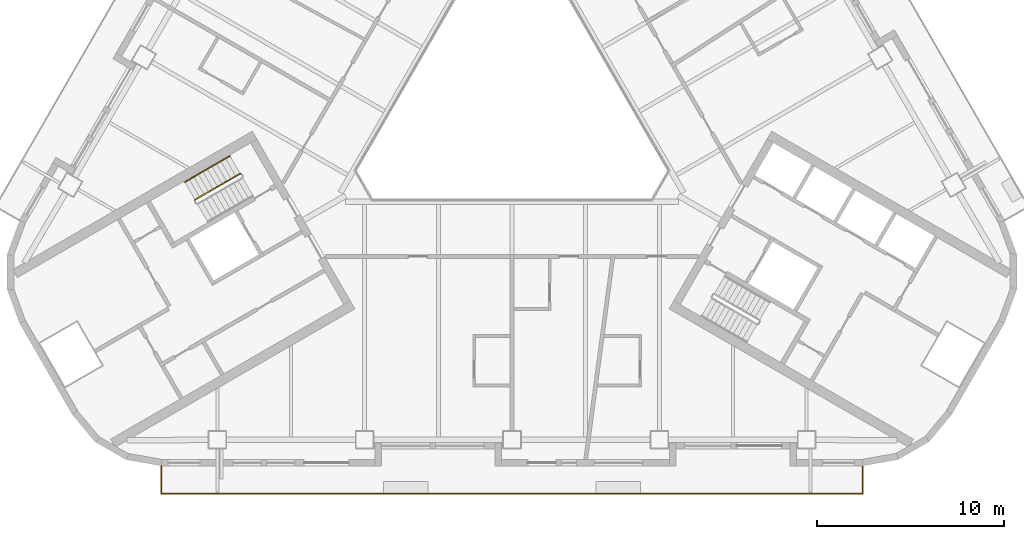
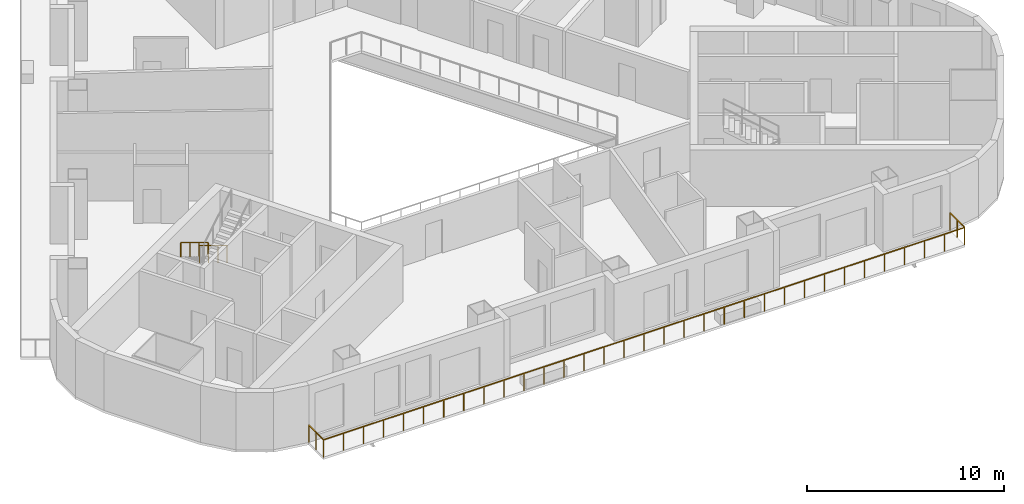
# One storey, part 9 of 13: 3 railings.
"""IFC4 building model written with IfcOpenShell, lengths in metres."""

from ifc_helpers import new_model, si_unit, direction, frame, origin, origin_2d, place, context, subcontext, project, spatial, rectangle, circle, extrude, material, type_object, element, save


model = new_model("IFC4")

# Units and contexts
model_context = context("Model", 3, precision=1e-05, world=origin(), true_north=direction((0.0, 1.0)))
body_context = subcontext(model_context, "Body", "Model", "MODEL_VIEW")
ifc_project = project(units=[si_unit("LENGTHUNIT", "METRE"), si_unit("AREAUNIT", "SQUARE_METRE"), si_unit("VOLUMEUNIT", "CUBIC_METRE"), si_unit("PLANEANGLEUNIT", "RADIAN"), si_unit("MASSUNIT", "GRAM", prefix="KILO")], contexts=[model_context])

# Site, building, storey
site_placement = place(None, origin())
site = spatial("IfcSite", under=ifc_project, at=site_placement, CompositionType="ELEMENT")
building_placement = place(site_placement, origin())
building = spatial("IfcBuilding", under=site, at=building_placement, Name="Apuvela Tower Hotel", CompositionType="ELEMENT")
storey_placement = place(building_placement, frame((0.0, 0.0, 65.0)))
storey = spatial("IfcBuildingStorey", under=building, at=storey_placement, Name="L13", CompositionType="ELEMENT", Elevation=65.0)

# Railings
ifc_material_1 = material(Name="Steel S275 balustrade", Category="steel")
railing_type_1 = type_object("IfcRailingType", Name="COR-GUARD-1100", PredefinedType="GUARDRAIL", material=ifc_material_1)
railing_1_placement = place(storey_placement, frame((-14.569091796875, -3.9658203125, 0.168212890625)))
element("IfcRailing", 1, at=railing_1_placement, inside=storey, type_object=railing_type_1, Name="L13 ST2 stair guard 1", PredefinedType="GUARDRAIL", context=body_context, shape_type="SweptSolid", body=[
    extrude(rectangle(XDim=0.048095703125, YDim=0.048095703125, at=origin_2d()), frame((0.0, 0.0, 1.076171875), z_axis=(-0.742390482028, -0.42860119049, 0.514934356695), x_axis=(0.49998411664, -0.866034573852, 0.0)), (0.0, 0.0, 1.0), 3.26611328125),
    extrude(rectangle(XDim=0.0419921875, YDim=0.0419921875, at=origin_2d()), origin(), (0.0, 0.0, 1.0), 1.052001953125),
    extrude(rectangle(XDim=0.0419921875, YDim=0.0419921875, at=origin_2d()), frame((-0.808349609375, -0.466552734375, 0.560546875)), (0.0, 0.0, 1.0), 1.052001953125),
    extrude(rectangle(XDim=0.0419921875, YDim=0.0419921875, at=origin_2d()), frame((-1.616455078125, -0.933349609375, 1.121337890625)), (0.0, 0.0, 1.0), 1.052001953125),
    extrude(rectangle(XDim=0.0419921875, YDim=0.0419921875, at=origin_2d()), frame((-2.4248046875, -1.39990234375, 1.681884765625)), (0.0, 0.0, 1.0), 1.052001953125),
])
ifc_material_2 = material(Name="Stainless steel 316 handrail", Category="steel")
railing_type_2 = type_object("IfcRailingType", Name="COR-HANDRAIL-900", PredefinedType="HANDRAIL", material=ifc_material_2)
railing_2_placement = place(storey_placement, frame((-15.118896484375, -3.01318359375, 0.168212890625)))
element("IfcRailing", 2, at=railing_2_placement, inside=storey, type_object=railing_type_2, Name="L13 ST2 stair handrail 1", PredefinedType="HANDRAIL", context=body_context, shape_type="SweptSolid", body=[
    extrude(circle(Radius=0.02392578125, at=origin_2d()), frame((0.0, 0.0, 0.8759765625), z_axis=(-0.742424030051, -0.428577407461, 0.514905783049), x_axis=(0.49994636267, -0.866056369097, 0.0)), (0.0, 0.0, 1.0), 3.266357421875),
    extrude(rectangle(XDim=0.0419921875, YDim=0.0419921875, at=origin_2d()), origin(), (0.0, 0.0, 1.0), 0.851806640625),
    extrude(rectangle(XDim=0.0419921875, YDim=0.0419921875, at=origin_2d()), frame((-0.808349609375, -0.466552734375, 0.560546875)), (0.0, 0.0, 1.0), 0.851806640625),
    extrude(rectangle(XDim=0.0419921875, YDim=0.0419921875, at=origin_2d()), frame((-1.61669921875, -0.933349609375, 1.121337890625)), (0.0, 0.0, 1.0), 0.851806640625),
    extrude(rectangle(XDim=0.0419921875, YDim=0.0419921875, at=origin_2d()), frame((-2.425048828125, -1.39990234375, 1.681884765625)), (0.0, 0.0, 1.0), 0.851806640625),
])
ifc_material_3 = material(Name="Stainless steel 316 rail with laminated glass infill", Category="steel")
railing_type_3 = type_object("IfcRailingType", Name="ENV-GUARD-1100", PredefinedType="GUARDRAIL", material=ifc_material_3)
railing_3_placement = place(storey_placement, frame((-18.81591796875, -19.6298828125, 0.0)))
element("IfcRailing", 3, at=railing_3_placement, inside=storey, type_object=railing_type_3, Name="Balcony guard S L13", PredefinedType="GUARDRAIL", context=body_context, shape_type="SweptSolid", body=[
    extrude(rectangle(XDim=0.050048828125, YDim=0.050048828125, at=origin_2d()), frame((0.0, 0.0, 1.0751953125), z_axis=(0.0, -1.0, 0.0), x_axis=(1.0, 0.0, 0.0)), (0.0, 0.0, 1.0), 1.5),
    extrude(rectangle(XDim=0.050048828125, YDim=0.050048828125, at=origin_2d()), frame((0.0, -1.5, 1.0751953125), z_axis=(1.0, 0.0, 0.0), x_axis=(0.0, 1.0, 0.0)), (0.0, 0.0, 1.0), 37.6318359375),
    extrude(rectangle(XDim=0.050048828125, YDim=0.050048828125, at=origin_2d()), frame((37.6318359375, -1.5, 1.0751953125), z_axis=(0.0, 1.0, 0.0), x_axis=(-1.0, 0.0, 0.0)), (0.0, 0.0, 1.0), 1.5),
    extrude(rectangle(XDim=0.0400390625, YDim=0.0400390625, at=origin_2d()), origin(), (0.0, 0.0, 1.0), 1.050048828125),
    extrude(rectangle(XDim=0.0400390625, YDim=0.0400390625, at=origin_2d()), frame((0.0, -0.75, 0.0)), (0.0, 0.0, 1.0), 1.050048828125),
    extrude(rectangle(XDim=0.0400390625, YDim=0.0400390625, at=origin_2d()), frame((0.0, -1.5, 0.0)), (0.0, 0.0, 1.0), 1.050048828125),
    extrude(rectangle(XDim=0.0400390625, YDim=0.0400390625, at=origin_2d()), frame((1.176025390625, -1.5, 0.0)), (0.0, 0.0, 1.0), 1.050048828125),
    extrude(rectangle(XDim=0.0400390625, YDim=0.0400390625, at=origin_2d()), frame((2.35205078125, -1.5, 0.0)), (0.0, 0.0, 1.0), 1.050048828125),
    extrude(rectangle(XDim=0.0400390625, YDim=0.0400390625, at=origin_2d()), frame((3.528076171875, -1.5, 0.0)), (0.0, 0.0, 1.0), 1.050048828125),
    extrude(rectangle(XDim=0.0400390625, YDim=0.0400390625, at=origin_2d()), frame((4.7041015625, -1.5, 0.0)), (0.0, 0.0, 1.0), 1.050048828125),
    extrude(rectangle(XDim=0.0400390625, YDim=0.0400390625, at=origin_2d()), frame((5.8798828125, -1.5, 0.0)), (0.0, 0.0, 1.0), 1.050048828125),
    extrude(rectangle(XDim=0.0400390625, YDim=0.0400390625, at=origin_2d()), frame((7.055908203125, -1.5, 0.0)), (0.0, 0.0, 1.0), 1.050048828125),
    extrude(rectangle(XDim=0.0400390625, YDim=0.0400390625, at=origin_2d()), frame((8.23193359375, -1.5, 0.0)), (0.0, 0.0, 1.0), 1.050048828125),
    extrude(rectangle(XDim=0.0400390625, YDim=0.0400390625, at=origin_2d()), frame((9.407958984375, -1.5, 0.0)), (0.0, 0.0, 1.0), 1.050048828125),
    extrude(rectangle(XDim=0.0400390625, YDim=0.0400390625, at=origin_2d()), frame((10.583984375, -1.5, 0.0)), (0.0, 0.0, 1.0), 1.050048828125),
    extrude(rectangle(XDim=0.0400390625, YDim=0.0400390625, at=origin_2d()), frame((11.760009765625, -1.5, 0.0)), (0.0, 0.0, 1.0), 1.050048828125),
    extrude(rectangle(XDim=0.0400390625, YDim=0.0400390625, at=origin_2d()), frame((12.93603515625, -1.5, 0.0)), (0.0, 0.0, 1.0), 1.050048828125),
    extrude(rectangle(XDim=0.0400390625, YDim=0.0400390625, at=origin_2d()), frame((14.11181640625, -1.5, 0.0)), (0.0, 0.0, 1.0), 1.050048828125),
    extrude(rectangle(XDim=0.0400390625, YDim=0.0400390625, at=origin_2d()), frame((15.287841796875, -1.5, 0.0)), (0.0, 0.0, 1.0), 1.050048828125),
    extrude(rectangle(XDim=0.0400390625, YDim=0.0400390625, at=origin_2d()), frame((16.4638671875, -1.5, 0.0)), (0.0, 0.0, 1.0), 1.050048828125),
    extrude(rectangle(XDim=0.0400390625, YDim=0.0400390625, at=origin_2d()), frame((17.639892578125, -1.5, 0.0)), (0.0, 0.0, 1.0), 1.050048828125),
    extrude(rectangle(XDim=0.0400390625, YDim=0.0400390625, at=origin_2d()), frame((18.81591796875, -1.5, 0.0)), (0.0, 0.0, 1.0), 1.050048828125),
    extrude(rectangle(XDim=0.0400390625, YDim=0.0400390625, at=origin_2d()), frame((19.991943359375, -1.5, 0.0)), (0.0, 0.0, 1.0), 1.050048828125),
    extrude(rectangle(XDim=0.0400390625, YDim=0.0400390625, at=origin_2d()), frame((21.16796875, -1.5, 0.0)), (0.0, 0.0, 1.0), 1.050048828125),
    extrude(rectangle(XDim=0.0400390625, YDim=0.0400390625, at=origin_2d()), frame((22.343994140625, -1.5, 0.0)), (0.0, 0.0, 1.0), 1.050048828125),
    extrude(rectangle(XDim=0.0400390625, YDim=0.0400390625, at=origin_2d()), frame((23.52001953125, -1.5, 0.0)), (0.0, 0.0, 1.0), 1.050048828125),
    extrude(rectangle(XDim=0.0400390625, YDim=0.0400390625, at=origin_2d()), frame((24.69580078125, -1.5, 0.0)), (0.0, 0.0, 1.0), 1.050048828125),
    extrude(rectangle(XDim=0.0400390625, YDim=0.0400390625, at=origin_2d()), frame((25.871826171875, -1.5, 0.0)), (0.0, 0.0, 1.0), 1.050048828125),
    extrude(rectangle(XDim=0.0400390625, YDim=0.0400390625, at=origin_2d()), frame((27.0478515625, -1.5, 0.0)), (0.0, 0.0, 1.0), 1.050048828125),
    extrude(rectangle(XDim=0.0400390625, YDim=0.0400390625, at=origin_2d()), frame((28.223876953125, -1.5, 0.0)), (0.0, 0.0, 1.0), 1.050048828125),
    extrude(rectangle(XDim=0.0400390625, YDim=0.0400390625, at=origin_2d()), frame((29.39990234375, -1.5, 0.0)), (0.0, 0.0, 1.0), 1.050048828125),
    extrude(rectangle(XDim=0.0400390625, YDim=0.0400390625, at=origin_2d()), frame((30.575927734375, -1.5, 0.0)), (0.0, 0.0, 1.0), 1.050048828125),
    extrude(rectangle(XDim=0.0400390625, YDim=0.0400390625, at=origin_2d()), frame((31.751953125, -1.5, 0.0)), (0.0, 0.0, 1.0), 1.050048828125),
    extrude(rectangle(XDim=0.0400390625, YDim=0.0400390625, at=origin_2d()), frame((32.927734375, -1.5, 0.0)), (0.0, 0.0, 1.0), 1.050048828125),
    extrude(rectangle(XDim=0.0400390625, YDim=0.0400390625, at=origin_2d()), frame((34.103759765625, -1.5, 0.0)), (0.0, 0.0, 1.0), 1.050048828125),
    extrude(rectangle(XDim=0.0400390625, YDim=0.0400390625, at=origin_2d()), frame((35.27978515625, -1.5, 0.0)), (0.0, 0.0, 1.0), 1.050048828125),
    extrude(rectangle(XDim=0.0400390625, YDim=0.0400390625, at=origin_2d()), frame((36.455810546875, -1.5, 0.0)), (0.0, 0.0, 1.0), 1.050048828125),
    extrude(rectangle(XDim=0.0400390625, YDim=0.0400390625, at=origin_2d()), frame((37.6318359375, -1.5, 0.0)), (0.0, 0.0, 1.0), 1.050048828125),
    extrude(rectangle(XDim=0.0400390625, YDim=0.0400390625, at=origin_2d()), frame((37.6318359375, -0.75, 0.0)), (0.0, 0.0, 1.0), 1.050048828125),
    extrude(rectangle(XDim=0.0400390625, YDim=0.0400390625, at=origin_2d()), frame((37.6318359375, 0.0, 0.0)), (0.0, 0.0, 1.0), 1.050048828125),
])

save(model, "model.ifc")
